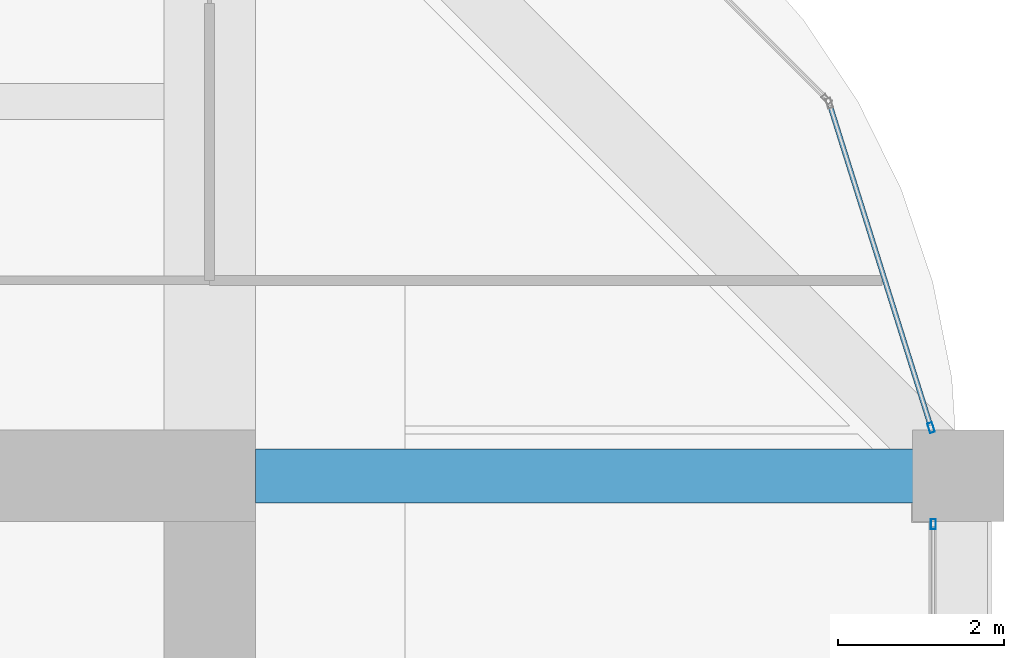
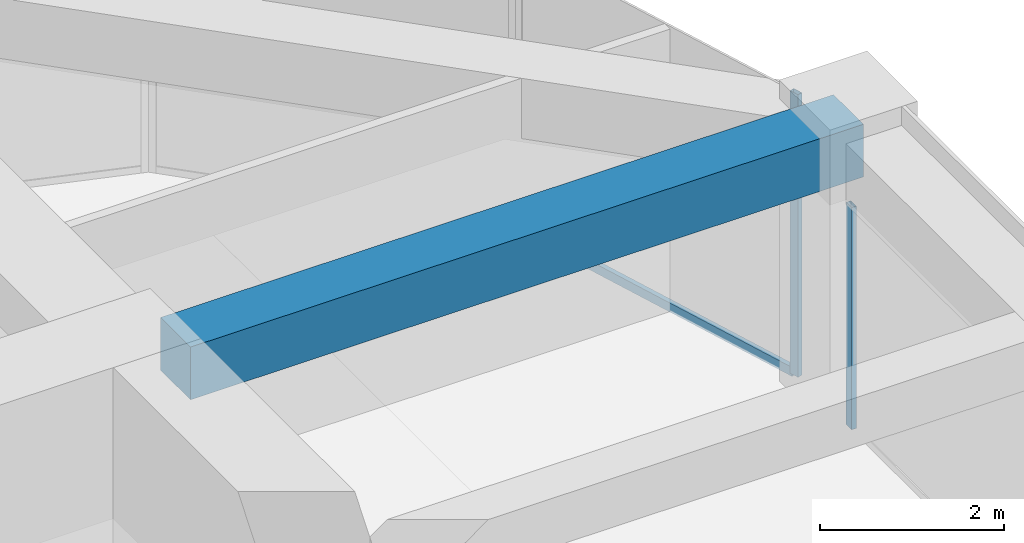
# One storey, part 36 of 44: 3 members, 1 beam, 2 elements without a shape of their own.
"""IFC4 building model written with IfcOpenShell, lengths in metres."""

from ifc_helpers import new_model, si_unit, direction, frame, origin, origin_2d, place, context, subcontext, project, spatial, rectangle, hollow_rectangle, extrude, material, material_profile, profile_set, type_object, element, aggregate, save


model = new_model("IFC4")

# Units and contexts
model_context = context("Model", 3, precision=1e-05, world=origin(), true_north=direction((0.0, 1.0)))
body_context = subcontext(model_context, "Body", "Model", "MODEL_VIEW")
ifc_project = project(units=[si_unit("LENGTHUNIT", "METRE"), si_unit("AREAUNIT", "SQUARE_METRE"), si_unit("VOLUMEUNIT", "CUBIC_METRE"), si_unit("PLANEANGLEUNIT", "RADIAN"), si_unit("MASSUNIT", "GRAM", prefix="KILO")], contexts=[model_context])

# Site, building, storey
site_placement = place(None, origin())
site = spatial("IfcSite", under=ifc_project, at=site_placement, CompositionType="ELEMENT")
building_placement = place(site_placement, origin())
building = spatial("IfcBuilding", under=site, at=building_placement, Name="Zorevar Civic Tower", CompositionType="ELEMENT")
storey_placement = place(building_placement, frame((0.0, 0.0, 267.39990234375)))
storey = spatial("IfcBuildingStorey", under=building, at=storey_placement, Name="L65", CompositionType="ELEMENT", Elevation=267.39990234375)

# Beam
ifc_material_1 = material(Name="Concrete C50/60", Category="concrete")
ifc_material_profile_1 = material_profile(ifc_material_1, rectangle(XDim=0.64990234375, YDim=0.699951171875, at=origin_2d()), Name="RC 650x700")
ifc_profile_set_1 = profile_set([ifc_material_profile_1], Name="Concrete C50/60")
beam_type = type_object("IfcBeamType", Name="Beam RC 650x700", PredefinedType="BEAM", material=ifc_profile_set_1)
beam_placement = place(storey_placement, frame((45.550048828125, 36.0, 3.400146484375), z_axis=(1.0, 0.0, 0.0), x_axis=(0.0, 1.0, 0.0)))
element("IfcBeam", 1, at=beam_placement, inside=storey, type_object=beam_type, Name="Girder L66", PredefinedType="BEAM", context=body_context, shape_type="SweptSolid", body=[
    extrude(rectangle(XDim=0.64990234375, YDim=0.699951171875, at=origin_2d()), origin(), (0.0, 0.0, 1.0), 8.449951171875),
])

# Curtain wall, member
ifc_material_2 = material(Name="Dark grey solar-control glass in black aluminium frame", Category="aluminium")
curtain_wall_type = type_object("IfcCurtainWallType", Name="Curtain wall CW5 top zone", PredefinedType="NOTDEFINED", material=ifc_material_2)
curtain_wall_1_placement = place(storey_placement, origin())
curtain_wall_1 = element("IfcCurtainWall", 2, at=curtain_wall_1_placement, inside=storey, type_object=curtain_wall_type, Name="CW5 L65", PredefinedType="NOTDEFINED")
ifc_material_3 = material(Name="Aluminium, black anodised", Category="aluminium")
ifc_material_profile_2 = material_profile(ifc_material_3, hollow_rectangle(XDim=0.06005859375, YDim=0.1201171875, WallThickness=0.0029296875, at=origin_2d()), Name="AL 120x60x3")
ifc_profile_set_2 = profile_set([ifc_material_profile_2], Name="Aluminium, black anodised")
member_type_1 = type_object("IfcMemberType", Name="CW5 mullion AL 120x60x3", PredefinedType="MULLION", material=ifc_profile_set_2)
member_1_placement = place(storey_placement, frame((53.699951171875, 35.419921875, 0.0), z_axis=(0.0, 0.0, 1.0), x_axis=(-1.0, 0.0, 0.0)))
member_1 = element("IfcMember", 3, at=member_1_placement, type_object=member_type_1, Name="CW5 mullion 3", PredefinedType="MULLION", context=body_context, shape_type="SweptSolid", body=[
    extrude(hollow_rectangle(XDim=0.06005859375, YDim=0.1201171875, WallThickness=0.0029296875, at=origin_2d()), origin(), (0.0, 0.0, 1.0), 2.9501953125),
])
aggregate(curtain_wall_1, [member_1])

# Curtain wall, members
curtain_wall_2_placement = place(storey_placement, origin())
curtain_wall_2 = element("IfcCurtainWall", 4, at=curtain_wall_2_placement, inside=storey, type_object=curtain_wall_type, Name="CW5 L65", PredefinedType="NOTDEFINED")
member_2_placement = place(storey_placement, frame((53.673583984375, 36.57861328125, 0.0), z_axis=(0.0, 0.0, 1.0), x_axis=(-0.954153437674, -0.299317920238, 0.0)))
member_2 = element("IfcMember", 5, at=member_2_placement, type_object=member_type_1, Name="CW5 mullion 1", PredefinedType="MULLION", context=body_context, shape_type="SweptSolid", body=[
    extrude(hollow_rectangle(XDim=0.06005859375, YDim=0.1201171875, WallThickness=0.0029296875, at=origin_2d()), origin(), (0.0, 0.0, 1.0), 3.75),
])
ifc_material_4 = material(Name="Aluminium, black anodised", Category="aluminium")
ifc_material_profile_3 = material_profile(ifc_material_4, hollow_rectangle(XDim=0.06005859375, YDim=0.1201171875, WallThickness=0.0029296875, at=origin_2d()), Name="AL 120x60x3")
ifc_profile_set_3 = profile_set([ifc_material_profile_3], Name="Aluminium, black anodised")
member_type_2 = type_object("IfcMemberType", Name="CW5 transom AL 120x60x3", PredefinedType="USERDEFINED", material=ifc_profile_set_3)
member_3_placement = place(storey_placement, frame((53.66455078125, 36.607177734375, 0.030029296875), z_axis=(-0.299285978047, 0.954163457351, 0.0), x_axis=(-0.954163457351, -0.299285978047, 0.0)))
member_3 = element("IfcMember", 6, at=member_3_placement, type_object=member_type_2, Name="CW5 sill transom", ObjectType="TRANSOM", PredefinedType="USERDEFINED", context=body_context, shape_type="SweptSolid", body=[
    extrude(hollow_rectangle(XDim=0.06005859375, YDim=0.1201171875, WallThickness=0.0029296875, at=origin_2d()), origin(), (0.0, 0.0, 1.0), 4.028076171875),
])
aggregate(curtain_wall_2, [member_2, member_3])

save(model, "model.ifc")
